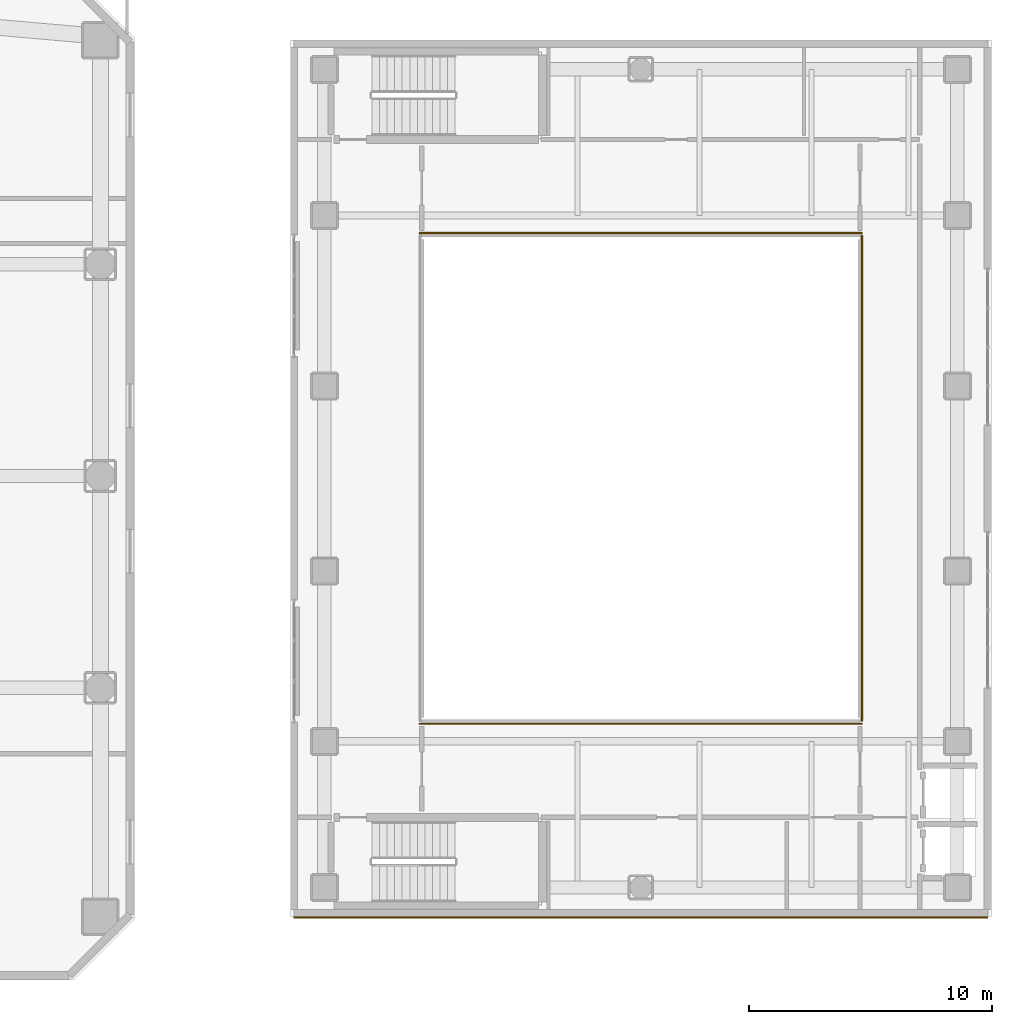
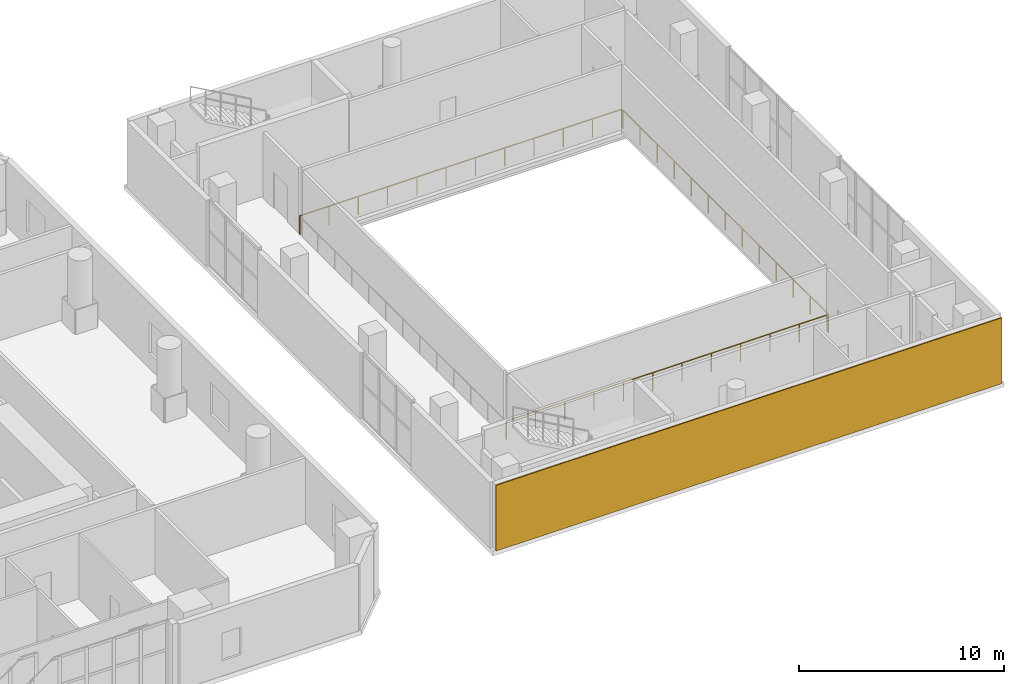
# One storey, part 24 of 24: 3 railings, 1 covering.
"""IFC4 building model written with IfcOpenShell, lengths in metres."""

import ifcopenshell
import ifcopenshell.guid

model = None  # the IFC model being written
_history = None  # IfcOwnerHistory: only IFC2X3 demands one
_inside = {}  # id of a spatial element -> (the spatial element, [elements in it])
_under = {}  # id of a project, library or spatial element -> (it, [spatial elements below it])
_declared = {}  # id of a project -> (the project, [libraries it declares])
_typed = {}  # id of a type object -> (the type object, [elements of that type])
_made_of = {}  # id of a material, layer set ... -> (it, [elements and type objects made of it])


def new_model(schema):
    """Start an empty IFC model of exactly this schema.

    Asked for "IFC4X3", IfcOpenShell would pick the latest addendum, in which some entities
    have other attributes; the version numbers below select the first issue.
    IFC2X3 requires an IfcOwnerHistory on every rooted entity: one is made here for all.
    """
    global model, _history
    if schema == "IFC4X3":
        model = ifcopenshell.file(schema_version=(4, 3, 0, 0))
    else:
        model = ifcopenshell.file(schema=schema)
    _inside.clear()
    _under.clear()
    _declared.clear()
    _typed.clear()
    _made_of.clear()
    _history = None
    if model.schema == "IFC2X3":
        org = make("IfcOrganization", Name="unknown")
        user = make(
            "IfcPersonAndOrganization",
            ThePerson=make("IfcPerson", FamilyName="unknown"),
            TheOrganization=org,
        )
        app = make(
            "IfcApplication",
            ApplicationDeveloper=org,
            Version="unknown",
            ApplicationFullName="unknown",
            ApplicationIdentifier="unknown",
        )
        _history = make(
            "IfcOwnerHistory",
            OwningUser=user,
            OwningApplication=app,
            ChangeAction="ADDED",
            CreationDate=0,
        )
    return model


def make(cls, **values):
    """One entity of the class cls with the attributes given. An attribute that is None is left unset."""
    return model.create_entity(
        cls, **{name: value for name, value in values.items() if value is not None}
    )


def rooted(cls, **values):
    """An entity with a GlobalId (a new one), such as an element, a storey or a relation."""
    return make(cls, GlobalId=ifcopenshell.guid.new(), OwnerHistory=_history, **values)


def si_unit(unit_type, name, prefix=None):
    """IfcSIUnit, for example si_unit("LENGTHUNIT", "METRE", prefix="MILLI")."""
    return make("IfcSIUnit", UnitType=unit_type, Prefix=prefix, Name=name)


def assignment(units):
    """IfcUnitAssignment: the units of a project."""
    return None if units is None else make("IfcUnitAssignment", Units=units)


def point(xyz):
    """IfcCartesianPoint."""
    return None if xyz is None else make("IfcCartesianPoint", Coordinates=xyz)


def direction(xyz):
    """IfcDirection."""
    return None if xyz is None else make("IfcDirection", DirectionRatios=xyz)


def frame(location, z_axis=None, x_axis=None):
    """IfcAxis2Placement3D, a coordinate frame: its origin and axes. An axis left out is left unset."""
    return make(
        "IfcAxis2Placement3D",
        Location=point(location),
        Axis=direction(z_axis),
        RefDirection=direction(x_axis),
    )


def frame_2d(location, x_axis=None):
    """IfcAxis2Placement2D, a coordinate frame in the plane: its origin and x axis."""
    return make(
        "IfcAxis2Placement2D", Location=point(location), RefDirection=direction(x_axis)
    )


def origin():
    """The frame at (0, 0, 0) with its axes left unset."""
    return frame((0.0, 0.0, 0.0))


def origin_2d():
    """The frame at (0, 0) in the plane with its x axis left unset."""
    return frame_2d((0.0, 0.0))


def place(relative_to, where):
    """IfcLocalPlacement: puts the frame where relative to a parent placement (None: the world)."""
    return make(
        "IfcLocalPlacement", PlacementRelTo=relative_to, RelativePlacement=where
    )


def context(
    kind, dimensions, precision=None, world=None, true_north=None, identifier=None
):
    """IfcGeometricRepresentationContext, for example the 3D "Model" context."""
    return make(
        "IfcGeometricRepresentationContext",
        ContextIdentifier=identifier,
        ContextType=kind,
        CoordinateSpaceDimension=dimensions,
        Precision=precision,
        WorldCoordinateSystem=world,
        TrueNorth=true_north,
    )


def subcontext(parent, identifier, kind, view, scale=None):
    """IfcGeometricRepresentationSubContext, for example "Body" below "Model"."""
    return make(
        "IfcGeometricRepresentationSubContext",
        ContextIdentifier=identifier,
        ContextType=kind,
        ParentContext=parent,
        TargetScale=scale,
        TargetView=view,
    )


def project(units=None, contexts=None):
    """IfcProject with its units and contexts."""
    return rooted(
        "IfcProject",
        Name="project",
        RepresentationContexts=contexts,
        UnitsInContext=assignment(units),
    )


def spatial(cls, under=None, at=None, **own):
    """A site, building, storey or space (cls), placed at a placement, below another one or the project."""
    s = rooted(cls, ObjectPlacement=at, **own)
    if under is not None:
        _under.setdefault(under.id(), (under, []))[1].append(s)
    return s


def profile(cls, at=None, kind="AREA", **sizes):
    """A parametric profile (cls). Its sizes go by their IFC names, for example OverallWidth=200.0."""
    return make(cls, ProfileType=kind, Position=at, **sizes)


def rectangle(**sizes):
    """IfcRectangleProfileDef."""
    return profile("IfcRectangleProfileDef", **sizes)


def extrude(swept, where, along, depth):
    """IfcExtrudedAreaSolid: the profile swept, set in the frame where, extruded along a direction by depth."""
    return make(
        "IfcExtrudedAreaSolid",
        SweptArea=swept,
        Position=where,
        ExtrudedDirection=direction(along),
        Depth=depth,
    )


def shape(context_of_items, identifier, shape_type, items):
    """IfcShapeRepresentation: the items that make up one representation, for example the "Body"."""
    return make(
        "IfcShapeRepresentation",
        ContextOfItems=context_of_items,
        RepresentationIdentifier=identifier,
        RepresentationType=shape_type,
        Items=items,
    )


def material(Name=None, Category=None):
    """IfcMaterial."""
    return make("IfcMaterial", Name=Name, Category=Category)


def layer(
    of_material, thickness, ventilated=None, Name=None, Category=None, Priority=None
):
    """IfcMaterialLayer: one layer of a wall or slab, of a material (None: an air gap)."""
    return make(
        "IfcMaterialLayer",
        Material=of_material,
        LayerThickness=thickness,
        IsVentilated=ventilated,
        Name=Name,
        Category=Category,
        Priority=Priority,
    )


def layer_set(layers, Name=None):
    """IfcMaterialLayerSet."""
    return make("IfcMaterialLayerSet", MaterialLayers=layers, LayerSetName=Name)


def made_of(thing, what):
    """Note that an element or type object is made of a material, layer set ...; save() writes the relation."""
    if what is not None:
        _made_of.setdefault(what.id(), (what, []))[1].append(thing)
    return thing


def type_object(cls, material=None, **own):
    """A type object (cls), such as IfcWallType, which elements share."""
    return made_of(rooted(cls, **own), material)


def element(
    cls,
    number,
    at=None,
    inside=None,
    cuts=None,
    type_object=None,
    material=None,
    context=None,
    identifier="Body",
    shape_type=None,
    held_by="IfcProductDefinitionShape",
    body=None,
    shapes=None,
    **own,
):
    """One element of the class cls, such as IfcWall. Its Tag is "e" and its number.

    at: its placement. inside: the storey or other place that contains it. cuts: it is an
    opening in that element (IfcRelVoidsElement). A single representation is given by context,
    identifier, shape_type and body (its items); several are given by shapes. held_by: the class
    of the entity that holds the representations. save() writes the other relations.
    """
    e = rooted(cls, Tag="e%d" % number, ObjectPlacement=at, **own)
    if body is not None:
        shapes = [shape(context, identifier, shape_type, body)]
    if shapes is not None:
        e.Representation = make(held_by, Representations=shapes)
    if inside is not None:
        _inside.setdefault(inside.id(), (inside, []))[1].append(e)
    if cuts is not None:
        rooted(
            "IfcRelVoidsElement", RelatingBuildingElement=cuts, RelatedOpeningElement=e
        )
    if type_object is not None:
        _typed.setdefault(type_object.id(), (type_object, []))[1].append(e)
    return made_of(e, material)


def aggregate(whole, parts):
    """IfcRelAggregates: a whole, such as a stair, and the parts it consists of."""
    return rooted("IfcRelAggregates", RelatingObject=whole, RelatedObjects=parts)


def save(model, path):
    """Write the relations noted so far, then the file.

    IfcRelAggregates (storeys below a building ...), IfcRelContainedInSpatialStructure (elements
    in a storey), IfcRelDefinesByType, IfcRelAssociatesMaterial and IfcRelDeclares: one each for
    every whole, place, type object, material and project.
    """
    for whole, parts in _under.values():
        aggregate(whole, parts)
    for where, things in _inside.values():
        rooted(
            "IfcRelContainedInSpatialStructure",
            RelatedElements=things,
            RelatingStructure=where,
        )
    for kind, things in _typed.values():
        rooted("IfcRelDefinesByType", RelatedObjects=things, RelatingType=kind)
    for what, things in _made_of.values():
        rooted("IfcRelAssociatesMaterial", RelatedObjects=things, RelatingMaterial=what)
    for by, libraries in _declared.values():
        rooted("IfcRelDeclares", RelatingContext=by, RelatedDefinitions=libraries)
    model.write(path)


model = new_model("IFC4")

# Units and contexts
model_context = context("Model", 3, precision=1e-05, world=origin(), true_north=direction((0.0, 1.0)))
body_context = subcontext(model_context, "Body", "Model", "MODEL_VIEW")
ifc_project = project(units=[si_unit("LENGTHUNIT", "METRE"), si_unit("AREAUNIT", "SQUARE_METRE"), si_unit("VOLUMEUNIT", "CUBIC_METRE"), si_unit("PLANEANGLEUNIT", "RADIAN"), si_unit("MASSUNIT", "GRAM", prefix="KILO")], contexts=[model_context])

# Site, building, storey
site_placement = place(None, origin())
site = spatial("IfcSite", under=ifc_project, at=site_placement, CompositionType="ELEMENT")
building_placement = place(site_placement, origin())
building = spatial("IfcBuilding", under=site, at=building_placement, Name="Solanera Arch Residences", CompositionType="ELEMENT")
storey_placement = place(building_placement, frame((0.0, 0.0, 5.199951171875)))
storey = spatial("IfcBuildingStorey", under=building, at=storey_placement, Name="L01", CompositionType="ELEMENT", Elevation=5.199951171875)

# Railings
ifc_material_1 = material(Name="Steel S355 (ASTM A992 / A572 Grade 50)", Category="steel")
railing_type = type_object("IfcRailingType", Name="Balustrade Railing BL-1100", PredefinedType="BALUSTRADE", material=ifc_material_1)
railing_1_placement = place(storey_placement, frame((59.719970703125, 20.52001953125, 0.0)))
element("IfcRailing", 1, at=railing_1_placement, inside=storey, type_object=railing_type, Name="L01 Sports Hall Court Void Guardrail S 1", PredefinedType="BALUSTRADE", context=body_context, shape_type="SweptSolid", body=[
    extrude(rectangle(XDim=0.048095703125, YDim=0.048095703125, at=origin_2d()), frame((0.0, 0.0, 1.09619140625), z_axis=(1.0, 0.0, 0.0), x_axis=(0.0, 1.0, 0.0)), (0.0, 0.0, 1.0), 18.159912109375),
    extrude(rectangle(XDim=0.0419921875, YDim=0.0419921875, at=origin_2d()), origin(), (0.0, 0.0, 1.0), 1.072021484375),
    extrude(rectangle(XDim=0.0419921875, YDim=0.0419921875, at=origin_2d()), frame((1.65087890625, 0.0, 0.0)), (0.0, 0.0, 1.0), 1.072021484375),
    extrude(rectangle(XDim=0.0419921875, YDim=0.0419921875, at=origin_2d()), frame((3.3017578125, 0.0, 0.0)), (0.0, 0.0, 1.0), 1.072021484375),
    extrude(rectangle(XDim=0.0419921875, YDim=0.0419921875, at=origin_2d()), frame((4.95263671875, 0.0, 0.0)), (0.0, 0.0, 1.0), 1.072021484375),
    extrude(rectangle(XDim=0.0419921875, YDim=0.0419921875, at=origin_2d()), frame((6.603515625, 0.0, 0.0)), (0.0, 0.0, 1.0), 1.072021484375),
    extrude(rectangle(XDim=0.0419921875, YDim=0.0419921875, at=origin_2d()), frame((8.25439453125, 0.0, 0.0)), (0.0, 0.0, 1.0), 1.072021484375),
    extrude(rectangle(XDim=0.0419921875, YDim=0.0419921875, at=origin_2d()), frame((9.905517578125, 0.0, 0.0)), (0.0, 0.0, 1.0), 1.072021484375),
    extrude(rectangle(XDim=0.0419921875, YDim=0.0419921875, at=origin_2d()), frame((11.556396484375, 0.0, 0.0)), (0.0, 0.0, 1.0), 1.072021484375),
    extrude(rectangle(XDim=0.0419921875, YDim=0.0419921875, at=origin_2d()), frame((13.207275390625, 0.0, 0.0)), (0.0, 0.0, 1.0), 1.072021484375),
    extrude(rectangle(XDim=0.0419921875, YDim=0.0419921875, at=origin_2d()), frame((14.858154296875, 0.0, 0.0)), (0.0, 0.0, 1.0), 1.072021484375),
    extrude(rectangle(XDim=0.0419921875, YDim=0.0419921875, at=origin_2d()), frame((16.509033203125, 0.0, 0.0)), (0.0, 0.0, 1.0), 1.072021484375),
    extrude(rectangle(XDim=0.0419921875, YDim=0.0419921875, at=origin_2d()), frame((18.159912109375, 0.0, 0.0)), (0.0, 0.0, 1.0), 1.072021484375),
])
railing_2_placement = place(storey_placement, frame((77.8798828125, 20.639892578125, 0.0)))
element("IfcRailing", 2, at=railing_2_placement, inside=storey, type_object=railing_type, Name="L01 Sports Hall Court Void Guardrail E 1", PredefinedType="BALUSTRADE", context=body_context, shape_type="SweptSolid", body=[
    extrude(rectangle(XDim=0.048095703125, YDim=0.048095703125, at=origin_2d()), frame((0.0, 0.0, 1.09619140625), z_axis=(0.0, 1.0, 0.0), x_axis=(-1.0, 0.0, 0.0)), (0.0, 0.0, 1.0), 19.920166015625),
    extrude(rectangle(XDim=0.0419921875, YDim=0.0419921875, at=origin_2d()), origin(), (0.0, 0.0, 1.0), 1.072021484375),
    extrude(rectangle(XDim=0.0419921875, YDim=0.0419921875, at=origin_2d()), frame((0.0, 1.659912109375, 0.0)), (0.0, 0.0, 1.0), 1.072021484375),
    extrude(rectangle(XDim=0.0419921875, YDim=0.0419921875, at=origin_2d()), frame((0.0, 3.320068359375, 0.0)), (0.0, 0.0, 1.0), 1.072021484375),
    extrude(rectangle(XDim=0.0419921875, YDim=0.0419921875, at=origin_2d()), frame((0.0, 4.97998046875, 0.0)), (0.0, 0.0, 1.0), 1.072021484375),
    extrude(rectangle(XDim=0.0419921875, YDim=0.0419921875, at=origin_2d()), frame((0.0, 6.64013671875, 0.0)), (0.0, 0.0, 1.0), 1.072021484375),
    extrude(rectangle(XDim=0.0419921875, YDim=0.0419921875, at=origin_2d()), frame((0.0, 8.300048828125, 0.0)), (0.0, 0.0, 1.0), 1.072021484375),
    extrude(rectangle(XDim=0.0419921875, YDim=0.0419921875, at=origin_2d()), frame((0.0, 9.9599609375, 0.0)), (0.0, 0.0, 1.0), 1.072021484375),
    extrude(rectangle(XDim=0.0419921875, YDim=0.0419921875, at=origin_2d()), frame((0.0, 11.6201171875, 0.0)), (0.0, 0.0, 1.0), 1.072021484375),
    extrude(rectangle(XDim=0.0419921875, YDim=0.0419921875, at=origin_2d()), frame((0.0, 13.280029296875, 0.0)), (0.0, 0.0, 1.0), 1.072021484375),
    extrude(rectangle(XDim=0.0419921875, YDim=0.0419921875, at=origin_2d()), frame((0.0, 14.940185546875, 0.0)), (0.0, 0.0, 1.0), 1.072021484375),
    extrude(rectangle(XDim=0.0419921875, YDim=0.0419921875, at=origin_2d()), frame((0.0, 16.60009765625, 0.0)), (0.0, 0.0, 1.0), 1.072021484375),
    extrude(rectangle(XDim=0.0419921875, YDim=0.0419921875, at=origin_2d()), frame((0.0, 18.26025390625, 0.0)), (0.0, 0.0, 1.0), 1.072021484375),
    extrude(rectangle(XDim=0.0419921875, YDim=0.0419921875, at=origin_2d()), frame((0.0, 19.920166015625, 0.0)), (0.0, 0.0, 1.0), 1.072021484375),
])
railing_3_placement = place(storey_placement, frame((77.8798828125, 40.679931640625, 0.0)))
element("IfcRailing", 3, at=railing_3_placement, inside=storey, type_object=railing_type, Name="L01 Sports Hall Court Void Guardrail N 1", PredefinedType="BALUSTRADE", context=body_context, shape_type="SweptSolid", body=[
    extrude(rectangle(XDim=0.048095703125, YDim=0.048095703125, at=origin_2d()), frame((0.0, 0.0, 1.09619140625), z_axis=(-1.0, 0.0, 0.0), x_axis=(0.0, -1.0, 0.0)), (0.0, 0.0, 1.0), 18.159912109375),
    extrude(rectangle(XDim=0.0419921875, YDim=0.0419921875, at=origin_2d()), origin(), (0.0, 0.0, 1.0), 1.072021484375),
    extrude(rectangle(XDim=0.0419921875, YDim=0.0419921875, at=origin_2d()), frame((-1.65087890625, 0.0, 0.0)), (0.0, 0.0, 1.0), 1.072021484375),
    extrude(rectangle(XDim=0.0419921875, YDim=0.0419921875, at=origin_2d()), frame((-3.3017578125, 0.0, 0.0)), (0.0, 0.0, 1.0), 1.072021484375),
    extrude(rectangle(XDim=0.0419921875, YDim=0.0419921875, at=origin_2d()), frame((-4.95263671875, 0.0, 0.0)), (0.0, 0.0, 1.0), 1.072021484375),
    extrude(rectangle(XDim=0.0419921875, YDim=0.0419921875, at=origin_2d()), frame((-6.603515625, 0.0, 0.0)), (0.0, 0.0, 1.0), 1.072021484375),
    extrude(rectangle(XDim=0.0419921875, YDim=0.0419921875, at=origin_2d()), frame((-8.25439453125, 0.0, 0.0)), (0.0, 0.0, 1.0), 1.072021484375),
    extrude(rectangle(XDim=0.0419921875, YDim=0.0419921875, at=origin_2d()), frame((-9.905517578125, 0.0, 0.0)), (0.0, 0.0, 1.0), 1.072021484375),
    extrude(rectangle(XDim=0.0419921875, YDim=0.0419921875, at=origin_2d()), frame((-11.556396484375, 0.0, 0.0)), (0.0, 0.0, 1.0), 1.072021484375),
    extrude(rectangle(XDim=0.0419921875, YDim=0.0419921875, at=origin_2d()), frame((-13.207275390625, 0.0, 0.0)), (0.0, 0.0, 1.0), 1.072021484375),
    extrude(rectangle(XDim=0.0419921875, YDim=0.0419921875, at=origin_2d()), frame((-14.858154296875, 0.0, 0.0)), (0.0, 0.0, 1.0), 1.072021484375),
    extrude(rectangle(XDim=0.0419921875, YDim=0.0419921875, at=origin_2d()), frame((-16.509033203125, 0.0, 0.0)), (0.0, 0.0, 1.0), 1.072021484375),
    extrude(rectangle(XDim=0.0419921875, YDim=0.0419921875, at=origin_2d()), frame((-18.159912109375, 0.0, 0.0)), (0.0, 0.0, 1.0), 1.072021484375),
])

# Covering
ifc_material_2 = material(Name="Philippine Adobe Travertine Cladding", Category="masonry")
ifc_layer = layer(ifc_material_2, 0.06005859375)
ifc_layer_set = layer_set([ifc_layer], Name="Philippine Adobe Travertine Cladding")
covering_type = type_object("IfcCoveringType", Name="Precast Pier Stone Cladding CLD-60", PredefinedType="CLADDING", material=ifc_layer_set)
covering_placement = place(storey_placement, frame((83.050048828125, 12.570068359375, 0.0), z_axis=(0.0, 0.0, 1.0), x_axis=(-1.0, 0.0, 0.0)))
element("IfcCovering", 4, at=covering_placement, inside=storey, type_object=covering_type, Name="L01 Sports Hall Travertine Cladding S", PredefinedType="CLADDING", context=body_context, shape_type="SweptSolid", body=[
    extrude(rectangle(XDim=28.5, YDim=0.06005859375, at=frame_2d((14.25, 0.0))), origin(), (0.0, 0.0, 1.0), 3.920166015625),
])

save(model, "model.ifc")
